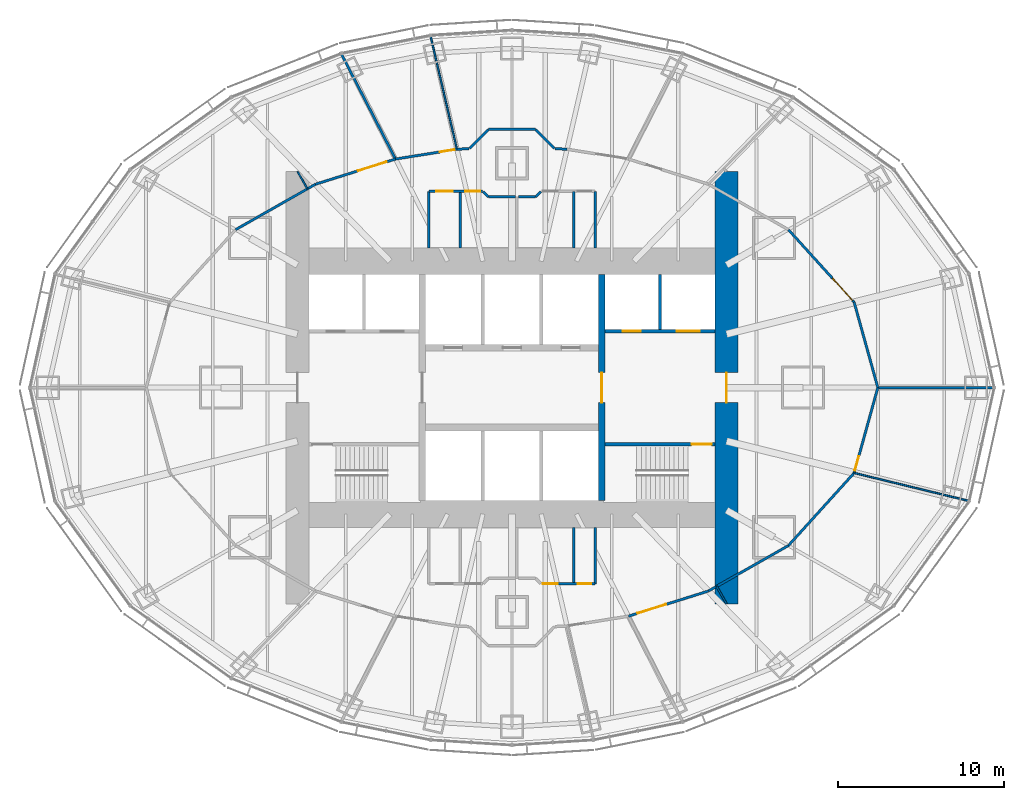
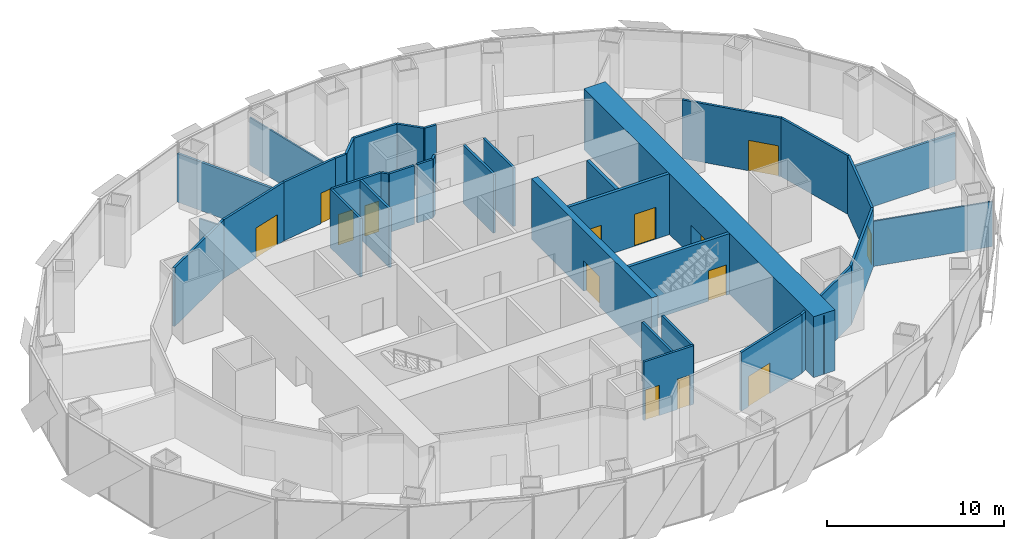
# One storey, part 12 of 18: 37 walls, 14 doors, 14 openings.
"""IFC4 building model written with IfcOpenShell, lengths in metres."""

from ifc_helpers import new_model, si_unit, direction, frame, frame_2d, origin, place, context, subcontext, project, spatial, rectangle, extrude, material, layer, layer_set, type_object, element, fill, save


model = new_model("IFC4")

# Units and contexts
model_context = context("Model", 3, precision=1e-05, world=origin(), true_north=direction((0.0, 1.0)))
body_context = subcontext(model_context, "Body", "Model", "MODEL_VIEW")
ifc_project = project(units=[si_unit("LENGTHUNIT", "METRE"), si_unit("AREAUNIT", "SQUARE_METRE"), si_unit("VOLUMEUNIT", "CUBIC_METRE"), si_unit("PLANEANGLEUNIT", "RADIAN"), si_unit("MASSUNIT", "GRAM", prefix="KILO")], contexts=[model_context])

# Site, building, storey
site_placement = place(None, origin())
site = spatial("IfcSite", under=ifc_project, at=site_placement, CompositionType="ELEMENT")
building_placement = place(site_placement, origin())
building = spatial("IfcBuilding", under=site, at=building_placement, Name="Lantaw Convention Tower", CompositionType="ELEMENT")
storey_placement = place(building_placement, frame((0.0, 0.0, 176.199951171875)))
storey = spatial("IfcBuildingStorey", under=building, at=storey_placement, Name="L41", CompositionType="ELEMENT", Elevation=176.199951171875)

# Wall, opening, door
ifc_material_1 = material(Name="Concrete C60/75", Category="concrete")
ifc_layer_1 = layer(ifc_material_1, 1.39990234375)
ifc_layer_set_1 = layer_set([ifc_layer_1], Name="Core wall 1400")
wall_type_1 = type_object("IfcWallType", Name="Core wall 1400", PredefinedType="SHEAR", material=ifc_layer_set_1)
wall_1_placement = place(storey_placement, frame((12.89990234375, -13.0, 0.0), z_axis=(0.0, 0.0, 1.0), x_axis=(0.0, 1.0, 0.0)))
wall_1 = element("IfcWall", 1, at=wall_1_placement, inside=storey, type_object=wall_type_1, Name="Core wall E", PredefinedType="SHEAR", context=body_context, shape_type="SweptSolid", body=[
    extrude(rectangle(XDim=26.0, YDim=1.39990234375, at=frame_2d((13.0, 0.0))), origin(), (0.0, 0.0, 1.0), 4.199951171875),
])
opening_1_placement = place(wall_1_placement, frame((12.10009765625, 0.0, 0.0)))
opening_1 = element("IfcOpeningElement", 2, at=opening_1_placement, cuts=wall_1, Name="Opening L41.05", PredefinedType="OPENING", context=body_context, shape_type="SweptSolid", body=[
    extrude(rectangle(XDim=1.800048828125, YDim=2.10009765625, at=frame_2d((0.89990234375, 1.050048828125))), frame((0.0, 0.7099609375, 0.0), z_axis=(0.0, -1.0, 0.0), x_axis=(1.0, 0.0, 0.0)), (0.0, 0.0, 1.0), 1.419921875),
])
ifc_material_2 = material(Name="Steel, fire rated", Category="steel")
door_type_1 = type_object("IfcDoorType", Name="Lobby double door FD90", OperationType="DOUBLE_DOOR_DOUBLE_SWING", PredefinedType="DOOR", material=ifc_material_2)
door_1_placement = place(opening_1_placement, origin())
door_1 = element("IfcDoor", 3, at=door_1_placement, inside=storey, type_object=door_type_1, Name="Firefighting lobby door", OperationType="DOUBLE_DOOR_DOUBLE_SWING", OverallHeight=2.10009765625, OverallWidth=1.800048828125, PredefinedType="DOOR", context=body_context, shape_type="SweptSolid", body=[
    extrude(rectangle(XDim=1.800048828125, YDim=2.10009765625, at=frame_2d((0.89990234375, 1.050048828125))), frame((0.0, 0.02490234375, 0.0), z_axis=(0.0, -1.0, 0.0), x_axis=(1.0, 0.0, 0.0)), (0.0, 0.0, 1.0), 0.050048828125),
])
fill(opening_1, door_1)

ifc_layer_2 = layer(ifc_material_1, 0.199951171875)
ifc_layer_set_2 = layer_set([ifc_layer_2], Name="Core wall 200")
wall_type_2 = type_object("IfcWallType", Name="Core wall 200", PredefinedType="SHEAR", material=ifc_layer_set_2)
wall_2_placement = place(storey_placement, frame((5.60009765625, -3.39990234375, 0.0), z_axis=(0.0, 0.0, 1.0), x_axis=(1.0, 0.0, 0.0)))
wall_2 = element("IfcWall", 4, at=wall_2_placement, inside=storey, type_object=wall_type_2, Name="Core wall ES", PredefinedType="SHEAR", context=body_context, shape_type="SweptSolid", body=[
    extrude(rectangle(XDim=6.599853515625, YDim=0.199951171875, at=frame_2d((3.2998046875, 0.0))), origin(), (0.0, 0.0, 1.0), 4.199951171875),
])
opening_2_placement = place(wall_2_placement, frame((5.199951171875, 0.0, 0.0)))
opening_2 = element("IfcOpeningElement", 5, at=opening_2_placement, cuts=wall_2, Name="Opening L41.03", PredefinedType="OPENING", context=body_context, shape_type="SweptSolid", body=[
    extrude(rectangle(XDim=1.199951171875, YDim=2.10009765625, at=frame_2d((0.60009765625, 1.050048828125))), frame((0.0, 0.10986328125, 0.0), z_axis=(0.0, -1.0, 0.0), x_axis=(1.0, 0.0, 0.0)), (0.0, 0.0, 1.0), 0.219970703125),
])
door_type_2 = type_object("IfcDoorType", Name="Stair door FD90", OperationType="SINGLE_SWING_RIGHT", PredefinedType="DOOR", material=ifc_material_2)
door_2_placement = place(opening_2_placement, origin())
door_2 = element("IfcDoor", 6, at=door_2_placement, inside=storey, type_object=door_type_2, Name="Exit stair door", OperationType="SINGLE_SWING_RIGHT", OverallHeight=2.10009765625, OverallWidth=1.199951171875, PredefinedType="DOOR", context=body_context, shape_type="SweptSolid", body=[
    extrude(rectangle(XDim=1.199951171875, YDim=2.10009765625, at=frame_2d((0.60009765625, 1.050048828125))), frame((0.0, 0.02490234375, 0.0), z_axis=(0.0, -1.0, 0.0), x_axis=(1.0, 0.0, 0.0)), (0.0, 0.0, 1.0), 0.050048828125),
])
fill(opening_2, door_2)

ifc_layer_3 = layer(ifc_material_1, 0.39990234375)
ifc_layer_set_3 = layer_set([ifc_layer_3], Name="Core wall 400")
wall_type_3 = type_object("IfcWallType", Name="Core wall 400", PredefinedType="SHEAR", material=ifc_layer_set_3)
wall_3_placement = place(storey_placement, frame((5.39990234375, -6.800048828125, 0.0), z_axis=(0.0, 0.0, 1.0), x_axis=(0.0, 1.0, 0.0)))
wall_3 = element("IfcWall", 7, at=wall_3_placement, inside=storey, type_object=wall_type_3, Name="Core wall XE", PredefinedType="SHEAR", context=body_context, shape_type="SweptSolid", body=[
    extrude(rectangle(XDim=13.60009765625, YDim=0.39990234375, at=frame_2d((6.800048828125, 0.0))), origin(), (0.0, 0.0, 1.0), 4.199951171875),
])
opening_3_placement = place(wall_3_placement, frame((5.89990234375, 0.0, 0.0)))
opening_3 = element("IfcOpeningElement", 8, at=opening_3_placement, cuts=wall_3, Name="Opening L41.01", PredefinedType="OPENING", context=body_context, shape_type="SweptSolid", body=[
    extrude(rectangle(XDim=1.800048828125, YDim=2.10009765625, at=frame_2d((0.89990234375, 1.050048828125))), frame((0.0, 0.2099609375, 0.0), z_axis=(0.0, -1.0, 0.0), x_axis=(1.0, 0.0, 0.0)), (0.0, 0.0, 1.0), 0.419921875),
])
door_3_placement = place(opening_3_placement, origin())
door_3 = element("IfcDoor", 9, at=door_3_placement, inside=storey, type_object=door_type_1, Name="Lift lobby door", OperationType="DOUBLE_DOOR_DOUBLE_SWING", OverallHeight=2.10009765625, OverallWidth=1.800048828125, PredefinedType="DOOR", context=body_context, shape_type="SweptSolid", body=[
    extrude(rectangle(XDim=1.800048828125, YDim=2.10009765625, at=frame_2d((0.89990234375, 1.050048828125))), frame((0.0, 0.02490234375, 0.0), z_axis=(0.0, -1.0, 0.0), x_axis=(1.0, 0.0, 0.0)), (0.0, 0.0, 1.0), 0.050048828125),
])
fill(opening_3, door_3)

# Wall
ifc_material_3 = material(Name="Gypsum board on steel studs, fire rated", Category="steel")
ifc_layer_4 = layer(ifc_material_3, 0.14990234375)
ifc_layer_set_4 = layer_set([ifc_layer_4], Name="Corridor wall 150 EI 60")
wall_type_4 = type_object("IfcWallType", Name="Corridor wall 150 EI 60", PredefinedType="PARTITIONING", material=ifc_layer_set_4)
wall_4_placement = place(storey_placement, frame((22.0, 0.0, 0.0), z_axis=(0.0, 0.0, 1.0), x_axis=(-0.267293817428, 0.963615076244, 0.0)))
element("IfcWall", 10, at=wall_4_placement, inside=storey, type_object=wall_type_4, Name="Corridor wall 150", PredefinedType="PARTITIONING", context=body_context, shape_type="SweptSolid", body=[
    extrude(rectangle(XDim=5.323974609375, YDim=0.14990234375, at=frame_2d((2.662109375, 0.0))), origin(), (0.0, 0.0, 1.0), 4.050048828125),
])

# Wall, opening, door
wall_5_placement = place(storey_placement, frame((20.576904296875, 5.13037109375, 0.0), z_axis=(0.0, 0.0, 1.0), x_axis=(-0.671118353743, 0.741350224435, 0.0)))
wall_5 = element("IfcWall", 11, at=wall_5_placement, inside=storey, type_object=wall_type_4, Name="Corridor wall 150", PredefinedType="PARTITIONING", context=body_context, shape_type="SweptSolid", body=[
    extrude(rectangle(XDim=5.89208984375, YDim=0.14990234375, at=frame_2d((2.946044921875, 0.0))), origin(), (0.0, 0.0, 1.0), 4.050048828125),
])
opening_4_placement = place(wall_5_placement, frame((0.14990234375, 0.0, 0.0)))
opening_4 = element("IfcOpeningElement", 12, at=opening_4_placement, cuts=wall_5, Name="Opening L41.22", PredefinedType="OPENING", context=body_context, shape_type="SweptSolid", body=[
    extrude(rectangle(XDim=1.800048828125, YDim=2.10009765625, at=frame_2d((0.89990234375, 1.050048828125))), frame((0.0, 0.0849609375, 0.0), z_axis=(0.0, -1.0, 0.0), x_axis=(1.0, 0.0, 0.0)), (0.0, 0.0, 1.0), 0.169921875),
])
door_type_3 = type_object("IfcDoorType", Name="Office double door 1800 FD30", OperationType="DOUBLE_DOOR_DOUBLE_SWING", PredefinedType="DOOR", material=ifc_material_2)
door_4_placement = place(opening_4_placement, origin())
door_4 = element("IfcDoor", 13, at=door_4_placement, inside=storey, type_object=door_type_3, Name="Tenant suite door", OperationType="DOUBLE_DOOR_DOUBLE_SWING", OverallHeight=2.10009765625, OverallWidth=1.800048828125, PredefinedType="DOOR", context=body_context, shape_type="SweptSolid", body=[
    extrude(rectangle(XDim=1.800048828125, YDim=2.10009765625, at=frame_2d((0.89990234375, 1.050048828125))), frame((0.0, 0.02490234375, 0.0), z_axis=(0.0, -1.0, 0.0), x_axis=(1.0, 0.0, 0.0)), (0.0, 0.0, 1.0), 0.050048828125),
])
fill(opening_4, door_4)

wall_6_placement = place(storey_placement, frame((-3.3095703125, 14.3349609375, 0.0), z_axis=(0.0, 0.0, 1.0), x_axis=(-0.987511396594, -0.157547585181, 0.0)))
wall_6 = element("IfcWall", 14, at=wall_6_placement, inside=storey, type_object=wall_type_4, Name="Corridor wall 150", PredefinedType="PARTITIONING", context=body_context, shape_type="SweptSolid", body=[
    extrude(rectangle(XDim=3.74072265625, YDim=0.14990234375, at=frame_2d((1.870361328125, 0.0))), origin(), (0.0, 0.0, 1.0), 4.050048828125),
])
opening_5_placement = place(wall_6_placement, frame((0.14990234375, 0.0, 0.0)))
opening_5 = element("IfcOpeningElement", 15, at=opening_5_placement, cuts=wall_6, Name="Opening L41.25", PredefinedType="OPENING", context=body_context, shape_type="SweptSolid", body=[
    extrude(rectangle(XDim=0.89990234375, YDim=2.10009765625, at=frame_2d((0.449951171875, 1.050048828125))), frame((0.0, 0.0849609375, 0.0), z_axis=(0.0, -1.0, 0.0), x_axis=(1.0, 0.0, 0.0)), (0.0, 0.0, 1.0), 0.169921875),
])
door_type_4 = type_object("IfcDoorType", Name="Office door 900 FD30", OperationType="SINGLE_SWING_LEFT", PredefinedType="DOOR", material=ifc_material_2)
door_5_placement = place(opening_5_placement, origin())
door_5 = element("IfcDoor", 16, at=door_5_placement, inside=storey, type_object=door_type_4, Name="Meeting room door", OperationType="SINGLE_SWING_LEFT", OverallHeight=2.10009765625, OverallWidth=0.89990234375, PredefinedType="DOOR", context=body_context, shape_type="SweptSolid", body=[
    extrude(rectangle(XDim=0.89990234375, YDim=2.10009765625, at=frame_2d((0.449951171875, 1.050048828125))), frame((0.0, 0.02490234375, 0.0), z_axis=(0.0, -1.0, 0.0), x_axis=(1.0, 0.0, 0.0)), (0.0, 0.0, 1.0), 0.050048828125),
])
fill(opening_5, door_5)

wall_7_placement = place(storey_placement, frame((-7.003662109375, 13.74560546875, 0.0), z_axis=(0.0, 0.0, 1.0), x_axis=(-0.953893934057, -0.300143903101, 0.0)))
wall_7 = element("IfcWall", 17, at=wall_7_placement, inside=storey, type_object=wall_type_4, Name="Corridor wall 150", PredefinedType="PARTITIONING", context=body_context, shape_type="SweptSolid", body=[
    extrude(rectangle(XDim=5.04150390625, YDim=0.14990234375, at=frame_2d((2.520751953125, 0.0))), origin(), (0.0, 0.0, 1.0), 4.050048828125),
])
opening_6_placement = place(wall_7_placement, frame((0.5703125, 0.0, 0.0)))
opening_6 = element("IfcOpeningElement", 18, at=opening_6_placement, cuts=wall_7, Name="Opening L41.26", PredefinedType="OPENING", context=body_context, shape_type="SweptSolid", body=[
    extrude(rectangle(XDim=1.800048828125, YDim=2.10009765625, at=frame_2d((0.89990234375, 1.050048828125))), frame((0.0, 0.0849609375, 0.0), z_axis=(0.0, -1.0, 0.0), x_axis=(1.0, 0.0, 0.0)), (0.0, 0.0, 1.0), 0.169921875),
])
door_6_placement = place(opening_6_placement, origin())
door_6 = element("IfcDoor", 19, at=door_6_placement, inside=storey, type_object=door_type_3, Name="Tenant suite door", OperationType="DOUBLE_DOOR_DOUBLE_SWING", OverallHeight=2.10009765625, OverallWidth=1.800048828125, PredefinedType="DOOR", context=body_context, shape_type="SweptSolid", body=[
    extrude(rectangle(XDim=1.800048828125, YDim=2.10009765625, at=frame_2d((0.89990234375, 1.050048828125))), frame((0.0, 0.02490234375, 0.0), z_axis=(0.0, -1.0, 0.0), x_axis=(1.0, 0.0, 0.0)), (0.0, 0.0, 1.0), 0.050048828125),
])
fill(opening_6, door_6)

# Wall
wall_8_placement = place(storey_placement, frame((-11.812744140625, 12.232421875, 0.0), z_axis=(0.0, 0.0, 1.0), x_axis=(-0.869375991036, -0.494151177485, 0.0)))
element("IfcWall", 20, at=wall_8_placement, inside=storey, type_object=wall_type_4, Name="Corridor wall 150", PredefinedType="PARTITIONING", context=body_context, shape_type="SweptSolid", body=[
    extrude(rectangle(XDim=5.532470703125, YDim=0.14990234375, at=frame_2d((2.76611328125, 0.0))), origin(), (0.0, 0.0, 1.0), 4.050048828125),
])

# Wall, opening, door
wall_9_placement = place(storey_placement, frame((7.003662109375, -13.74560546875, 0.0), z_axis=(0.0, 0.0, 1.0), x_axis=(0.953893934057, 0.300143903101, 0.0)))
wall_9 = element("IfcWall", 21, at=wall_9_placement, inside=storey, type_object=wall_type_4, Name="Corridor wall 150", PredefinedType="PARTITIONING", context=body_context, shape_type="SweptSolid", body=[
    extrude(rectangle(XDim=5.04150390625, YDim=0.14990234375, at=frame_2d((2.520751953125, 0.0))), origin(), (0.0, 0.0, 1.0), 4.050048828125),
])
opening_7_placement = place(wall_9_placement, frame((0.5703125, 0.0, 0.0)))
opening_7 = element("IfcOpeningElement", 22, at=opening_7_placement, cuts=wall_9, Name="Opening L41.32", PredefinedType="OPENING", context=body_context, shape_type="SweptSolid", body=[
    extrude(rectangle(XDim=1.800048828125, YDim=2.10009765625, at=frame_2d((0.89990234375, 1.050048828125))), frame((0.0, 0.0849609375, 0.0), z_axis=(0.0, -1.0, 0.0), x_axis=(1.0, 0.0, 0.0)), (0.0, 0.0, 1.0), 0.169921875),
])
door_7_placement = place(opening_7_placement, origin())
door_7 = element("IfcDoor", 23, at=door_7_placement, inside=storey, type_object=door_type_3, Name="Tenant suite door", OperationType="DOUBLE_DOOR_DOUBLE_SWING", OverallHeight=2.10009765625, OverallWidth=1.800048828125, PredefinedType="DOOR", context=body_context, shape_type="SweptSolid", body=[
    extrude(rectangle(XDim=1.800048828125, YDim=2.10009765625, at=frame_2d((0.89990234375, 1.050048828125))), frame((0.0, 0.02490234375, 0.0), z_axis=(0.0, -1.0, 0.0), x_axis=(1.0, 0.0, 0.0)), (0.0, 0.0, 1.0), 0.050048828125),
])
fill(opening_7, door_7)

# Walls
wall_10_placement = place(storey_placement, frame((11.812744140625, -12.232421875, 0.0), z_axis=(0.0, 0.0, 1.0), x_axis=(0.869375991036, 0.494151177485, 0.0)))
element("IfcWall", 24, at=wall_10_placement, inside=storey, type_object=wall_type_4, Name="Corridor wall 150", PredefinedType="PARTITIONING", context=body_context, shape_type="SweptSolid", body=[
    extrude(rectangle(XDim=5.532470703125, YDim=0.14990234375, at=frame_2d((2.76611328125, 0.0))), origin(), (0.0, 0.0, 1.0), 4.050048828125),
])
wall_11_placement = place(storey_placement, frame((16.62255859375, -9.49853515625, 0.0), z_axis=(0.0, 0.0, 1.0), x_axis=(0.671118353743, 0.741350224435, 0.0)))
element("IfcWall", 25, at=wall_11_placement, inside=storey, type_object=wall_type_4, Name="Corridor wall 150", PredefinedType="PARTITIONING", context=body_context, shape_type="SweptSolid", body=[
    extrude(rectangle(XDim=5.89208984375, YDim=0.14990234375, at=frame_2d((2.946044921875, 0.0))), origin(), (0.0, 0.0, 1.0), 4.050048828125),
])

# Wall, opening, door
wall_12_placement = place(storey_placement, frame((20.576904296875, -5.13037109375, 0.0), z_axis=(0.0, 0.0, 1.0), x_axis=(0.267293817428, 0.963615076244, 0.0)))
wall_12 = element("IfcWall", 26, at=wall_12_placement, inside=storey, type_object=wall_type_4, Name="Corridor wall 150", PredefinedType="PARTITIONING", context=body_context, shape_type="SweptSolid", body=[
    extrude(rectangle(XDim=5.323974609375, YDim=0.14990234375, at=frame_2d((2.662109375, 0.0))), origin(), (0.0, 0.0, 1.0), 4.050048828125),
])
opening_8_placement = place(wall_12_placement, frame((0.14990234375, 0.0, 0.0)))
opening_8 = element("IfcOpeningElement", 27, at=opening_8_placement, cuts=wall_12, Name="Opening L41.33", PredefinedType="OPENING", context=body_context, shape_type="SweptSolid", body=[
    extrude(rectangle(XDim=0.89990234375, YDim=2.10009765625, at=frame_2d((0.449951171875, 1.050048828125))), frame((0.0, 0.0849609375, 0.0), z_axis=(0.0, -1.0, 0.0), x_axis=(1.0, 0.0, 0.0)), (0.0, 0.0, 1.0), 0.169921875),
])
door_8_placement = place(opening_8_placement, origin())
door_8 = element("IfcDoor", 28, at=door_8_placement, inside=storey, type_object=door_type_4, Name="Meeting room door", OperationType="SINGLE_SWING_LEFT", OverallHeight=2.10009765625, OverallWidth=0.89990234375, PredefinedType="DOOR", context=body_context, shape_type="SweptSolid", body=[
    extrude(rectangle(XDim=0.89990234375, YDim=2.10009765625, at=frame_2d((0.449951171875, 1.050048828125))), frame((0.0, 0.02490234375, 0.0), z_axis=(0.0, -1.0, 0.0), x_axis=(1.0, 0.0, 0.0)), (0.0, 0.0, 1.0), 0.050048828125),
])
fill(opening_8, door_8)

# Walls
for number, where, z_axis, x_axis, name in (
    (29, (3.3095703125, 14.3349609375, 0.0), (0.0, 0.0, 1.0), (-0.998758954215, 0.04980513402, 0.0), "Corridor wall 150"),
    (30, (-2.5751953125, 14.37158203125, 0.0), (0.0, 0.0, 1.0), (-0.998758954215, -0.04980513402, 0.0), "Corridor wall 150"),
):
    element("IfcWall", number, at=place(storey_placement, frame(where, z_axis=z_axis, x_axis=x_axis)), inside=storey, type_object=wall_type_4, Name=name, PredefinedType="PARTITIONING", context=body_context, shape_type="SweptSolid", body=[
        extrude(rectangle(XDim=0.7353515625, YDim=0.14990234375, at=frame_2d((0.36767578125, 0.0))), origin(), (0.0, 0.0, 1.0), 4.050048828125),
    ])
wall_13_placement = place(storey_placement, frame((-1.424560546875, 15.52490234375, 0.0), z_axis=(0.0, 0.0, 1.0), x_axis=(1.0, 0.0, 0.0)))
element("IfcWall", 31, at=wall_13_placement, inside=storey, type_object=wall_type_4, Name="Corridor wall 150", PredefinedType="PARTITIONING", context=body_context, shape_type="SweptSolid", body=[
    extrude(rectangle(XDim=2.84912109375, YDim=0.14990234375, at=frame_2d((1.424560546875, 0.0))), origin(), (0.0, 0.0, 1.0), 4.050048828125),
])
for number, where, z_axis, x_axis, name in (
    (32, (1.424560546875, 15.52490234375, 0.0), (0.0, 0.0, 1.0), (0.701815492047, -0.712358768545, 0.0), "Corridor wall 150"),
    (33, (-2.5458984375, 14.38671875, 0.0), (0.0, 0.0, 1.0), (0.701815492047, 0.712358768545, 0.0), "Corridor wall 150"),
):
    element("IfcWall", number, at=place(storey_placement, frame(where, z_axis=z_axis, x_axis=x_axis)), inside=storey, type_object=wall_type_4, Name=name, PredefinedType="PARTITIONING", context=body_context, shape_type="SweptSolid", body=[
        extrude(rectangle(XDim=1.59765625, YDim=0.14990234375, at=frame_2d((0.798828125, 0.0))), origin(), (0.0, 0.0, 1.0), 4.050048828125),
    ])
ifc_material_4 = material(Name="Gypsum board on steel studs, acoustic", Category="steel")
ifc_layer_5 = layer(ifc_material_4, 0.10009765625)
ifc_layer_set_5 = layer_set([ifc_layer_5], Name="Office partition 100")
wall_type_5 = type_object("IfcWallType", Name="Office partition 100", PredefinedType="PARTITIONING", material=ifc_layer_set_5)
wall_14_placement = place(storey_placement, frame((-4.89697265625, 21.134765625, 0.0), z_axis=(0.0, 0.0, 1.0), x_axis=(0.22733572198, -0.973816445493, 0.0)))
element("IfcWall", 34, at=wall_14_placement, inside=storey, type_object=wall_type_5, Name="Office partition 100", PredefinedType="PARTITIONING", context=body_context, shape_type="SweptSolid", body=[
    extrude(rectangle(XDim=6.982666015625, YDim=0.10009765625, at=frame_2d((3.4912109375, 0.0))), origin(), (0.0, 0.0, 1.0), 3.293212890625),
])
wall_15_placement = place(storey_placement, frame((27.440673828125, -6.808837890625, 0.0), z_axis=(0.0, 0.0, 1.0), x_axis=(-0.971377572955, 0.237540755996, 0.0)))
element("IfcWall", 35, at=wall_15_placement, inside=storey, type_object=wall_type_5, Name="Office partition 100", PredefinedType="PARTITIONING", context=body_context, shape_type="SweptSolid", body=[
    extrude(rectangle(XDim=7.06591796875, YDim=0.10009765625, at=frame_2d((3.532958984375, 0.0))), origin(), (0.0, 0.0, 1.0), 3.11279296875),
])
for number, where, z_axis, x_axis, name in (
    (36, (12.89990234375, -13.0, 0.0), (0.0, 0.0, 1.0), (-0.494173075358, 0.869363543974, 0.0), "Office partition 100"),
    (37, (-12.89990234375, 13.0, 0.0), (0.0, 0.0, 1.0), (0.494173075358, -0.869363543974, 0.0), "Office partition 100"),
):
    element("IfcWall", number, at=place(storey_placement, frame(where, z_axis=z_axis, x_axis=x_axis)), inside=storey, type_object=wall_type_5, Name=name, PredefinedType="PARTITIONING", context=body_context, shape_type="SweptSolid", body=[
        extrude(rectangle(XDim=1.204345703125, YDim=0.10009765625, at=frame_2d((0.60205078125, 0.0))), origin(), (0.0, 0.0, 1.0), 4.050048828125),
    ])

# Wall, openings, doors
ifc_material_5 = material(Name="Concrete blockwork, fire rated", Category="masonry")
ifc_layer_6 = layer(ifc_material_5, 0.199951171875)
ifc_layer_set_6 = layer_set([ifc_layer_6], Name="Shaft wall 200")
wall_type_6 = type_object("IfcWallType", Name="Shaft wall 200", PredefinedType="SOLIDWALL", material=ifc_layer_set_6)
wall_16_placement = place(storey_placement, frame((12.199951171875, 3.39990234375, 0.0), z_axis=(0.0, 0.0, 1.0), x_axis=(-1.0, 0.0, 0.0)))
wall_16 = element("IfcWall", 38, at=wall_16_placement, inside=storey, type_object=wall_type_6, Name="Shaft wall EN", PredefinedType="SOLIDWALL", context=body_context, shape_type="SweptSolid", body=[
    extrude(rectangle(XDim=6.599853515625, YDim=0.199951171875, at=frame_2d((3.2998046875, 0.0))), origin(), (0.0, 0.0, 1.0), 4.199951171875),
])
opening_9_placement = place(wall_16_placement, frame((4.449951171875, 0.0, 0.0)))
opening_9 = element("IfcOpeningElement", 39, at=opening_9_placement, cuts=wall_16, Name="Opening L41.12", PredefinedType="OPENING", context=body_context, shape_type="SweptSolid", body=[
    extrude(rectangle(XDim=1.10009765625, YDim=2.199951171875, at=frame_2d((0.550048828125, 1.10009765625))), frame((0.0, 0.10986328125, 0.0), z_axis=(0.0, -1.0, 0.0), x_axis=(1.0, 0.0, 0.0)), (0.0, 0.0, 1.0), 0.219970703125),
])
opening_10_placement = place(wall_16_placement, frame((0.89990234375, 0.0, 0.0)))
opening_10 = element("IfcOpeningElement", 40, at=opening_10_placement, cuts=wall_16, Name="Opening L41.13", PredefinedType="OPENING", context=body_context, shape_type="SweptSolid", body=[
    extrude(rectangle(XDim=1.39990234375, YDim=2.199951171875, at=frame_2d((0.699951171875, 1.10009765625))), frame((0.0, 0.10986328125, 0.0), z_axis=(0.0, -1.0, 0.0), x_axis=(1.0, 0.0, 0.0)), (0.0, 0.0, 1.0), 0.219970703125),
])
ifc_material_6 = material(Name="Stainless steel", Category="steel")
door_type_5 = type_object("IfcDoorType", Name="Lift landing door 1100", OperationType="DOUBLE_DOOR_SLIDING", PredefinedType="DOOR", material=ifc_material_6)
door_9_placement = place(opening_9_placement, origin())
door_9 = element("IfcDoor", 41, at=door_9_placement, inside=storey, type_object=door_type_5, Name="Lift landing door FF2", OperationType="DOUBLE_DOOR_SLIDING", OverallHeight=2.199951171875, OverallWidth=1.10009765625, PredefinedType="DOOR", context=body_context, shape_type="SweptSolid", body=[
    extrude(rectangle(XDim=1.10009765625, YDim=2.199951171875, at=frame_2d((0.550048828125, 1.10009765625))), frame((0.0, 0.02490234375, 0.0), z_axis=(0.0, -1.0, 0.0), x_axis=(1.0, 0.0, 0.0)), (0.0, 0.0, 1.0), 0.050048828125),
])
fill(opening_9, door_9)
door_type_6 = type_object("IfcDoorType", Name="Lift landing door 1400", OperationType="DOUBLE_DOOR_SLIDING", PredefinedType="DOOR", material=ifc_material_6)
door_10_placement = place(opening_10_placement, origin())
door_10 = element("IfcDoor", 42, at=door_10_placement, inside=storey, type_object=door_type_6, Name="Lift landing door SV2", OperationType="DOUBLE_DOOR_SLIDING", OverallHeight=2.199951171875, OverallWidth=1.39990234375, PredefinedType="DOOR", context=body_context, shape_type="SweptSolid", body=[
    extrude(rectangle(XDim=1.39990234375, YDim=2.199951171875, at=frame_2d((0.699951171875, 1.10009765625))), frame((0.0, 0.02490234375, 0.0), z_axis=(0.0, -1.0, 0.0), x_axis=(1.0, 0.0, 0.0)), (0.0, 0.0, 1.0), 0.050048828125),
])
fill(opening_10, door_10)

# Walls
wall_17_placement = place(storey_placement, frame((8.89990234375, 3.5, 0.0), z_axis=(0.0, 0.0, 1.0), x_axis=(0.0, 1.0, 0.0)))
element("IfcWall", 43, at=wall_17_placement, inside=storey, type_object=wall_type_6, Name="Shaft wall ED", PredefinedType="SOLIDWALL", context=body_context, shape_type="SweptSolid", body=[
    extrude(rectangle(XDim=3.300048828125, YDim=0.199951171875, at=frame_2d((1.64990234375, 0.0))), origin(), (0.0, 0.0, 1.0), 4.199951171875),
])
ifc_layer_7 = layer(ifc_material_3, 0.14990234375)
ifc_layer_set_7 = layer_set([ifc_layer_7], Name="Tenant separation wall 150 EI 60")
wall_type_7 = type_object("IfcWallType", Name="Tenant separation wall 150 EI 60", PredefinedType="PARTITIONING", material=ifc_layer_set_7)
wall_18_placement = place(storey_placement, frame((28.944091796875, 0.0, 0.0), z_axis=(0.0, 0.0, 1.0), x_axis=(-1.0, 0.0, 0.0)))
element("IfcWall", 44, at=wall_18_placement, inside=storey, type_object=wall_type_7, Name="Tenant separation wall 150", PredefinedType="PARTITIONING", context=body_context, shape_type="SweptSolid", body=[
    extrude(rectangle(XDim=6.944091796875, YDim=0.14990234375, at=frame_2d((3.47216796875, 0.0))), origin(), (0.0, 0.0, 1.0), 3.204345703125),
])
wall_19_placement = place(storey_placement, frame((-10.25341796875, 20.0517578125, 0.0), z_axis=(0.0, 0.0, 1.0), x_axis=(0.458082677592, -0.888909590729, 0.0)))
element("IfcWall", 45, at=wall_19_placement, inside=storey, type_object=wall_type_7, Name="Tenant separation wall 150", PredefinedType="PARTITIONING", context=body_context, shape_type="SweptSolid", body=[
    extrude(rectangle(XDim=7.09423828125, YDim=0.14990234375, at=frame_2d((3.547119140625, 0.0))), origin(), (0.0, 0.0, 1.0), 3.34912109375),
])
ifc_material_7 = material(Name="Concrete blockwork", Category="masonry")
ifc_layer_8 = layer(ifc_material_7, 0.14990234375)
ifc_layer_set_8 = layer_set([ifc_layer_8], Name="WC wall 150")
wall_type_8 = type_object("IfcWallType", Name="WC wall 150", PredefinedType="SOLIDWALL", material=ifc_layer_set_8)
for number, where, z_axis, x_axis, name in (
    (46, (-5.0, 8.39990234375, 0.0), (0.0, 0.0, 1.0), (0.0, 1.0, 0.0), "WC wall 150"),
    (47, (5.0, 8.39990234375, 0.0), (0.0, 0.0, 1.0), (0.0, 1.0, 0.0), "WC wall 150"),
    (48, (-3.10009765625, 8.39990234375, 0.0), (0.0, 0.0, 1.0), (0.0, 1.0, 0.0), "WC wall 150"),
    (49, (3.699951171875, 8.39990234375, 0.0), (0.0, 0.0, 1.0), (0.0, 1.0, 0.0), "WC wall 150"),
    (50, (5.0, -8.39990234375, 0.0), (0.0, 0.0, 1.0), (0.0, -1.0, 0.0), "WC wall 150"),
    (51, (3.699951171875, -8.39990234375, 0.0), (0.0, 0.0, 1.0), (0.0, -1.0, 0.0), "WC wall 150"),
):
    element("IfcWall", number, at=place(storey_placement, frame(where, z_axis=z_axis, x_axis=x_axis)), inside=storey, type_object=wall_type_8, Name=name, PredefinedType="SOLIDWALL", context=body_context, shape_type="SweptSolid", body=[
        extrude(rectangle(XDim=3.400146484375, YDim=0.14990234375, at=frame_2d((1.7001953125, 0.0))), origin(), (0.0, 0.0, 1.0), 4.050048828125),
    ])

# Wall, openings, doors
wall_20_placement = place(storey_placement, frame((1.763671875, -11.800048828125, 0.0), z_axis=(0.0, 0.0, 1.0), x_axis=(1.0, 0.0, 0.0)))
wall_20 = element("IfcWall", 52, at=wall_20_placement, inside=storey, type_object=wall_type_8, Name="WC wall 150", PredefinedType="SOLIDWALL", context=body_context, shape_type="SweptSolid", body=[
    extrude(rectangle(XDim=3.236328125, YDim=0.14990234375, at=frame_2d((1.6181640625, 0.0))), origin(), (0.0, 0.0, 1.0), 4.050048828125),
])
opening_11_placement = place(wall_20_placement, frame((0.10009765625, 0.0, 0.0)))
opening_11 = element("IfcOpeningElement", 53, at=opening_11_placement, cuts=wall_20, Name="Opening L41.20", PredefinedType="OPENING", context=body_context, shape_type="SweptSolid", body=[
    extrude(rectangle(XDim=0.89990234375, YDim=2.10009765625, at=frame_2d((0.449951171875, 1.050048828125))), frame((0.0, 0.0849609375, 0.0), z_axis=(0.0, -1.0, 0.0), x_axis=(1.0, 0.0, 0.0)), (0.0, 0.0, 1.0), 0.169921875),
])
opening_12_placement = place(wall_20_placement, frame((2.199951171875, 0.0, 0.0)))
opening_12 = element("IfcOpeningElement", 54, at=opening_12_placement, cuts=wall_20, Name="Opening L41.21", PredefinedType="OPENING", context=body_context, shape_type="SweptSolid", body=[
    extrude(rectangle(XDim=0.800048828125, YDim=2.10009765625, at=frame_2d((0.39990234375, 1.050048828125))), frame((0.0, 0.0849609375, 0.0), z_axis=(0.0, -1.0, 0.0), x_axis=(1.0, 0.0, 0.0)), (0.0, 0.0, 1.0), 0.169921875),
])
ifc_material_8 = material(Name="Timber", Category="wood")
door_type_7 = type_object("IfcDoorType", Name="WC door 800", OperationType="SINGLE_SWING_LEFT", PredefinedType="DOOR", material=ifc_material_8)
door_11_placement = place(opening_12_placement, origin())
door_11 = element("IfcDoor", 55, at=door_11_placement, inside=storey, type_object=door_type_7, Name="Pantry door", OperationType="SINGLE_SWING_LEFT", OverallHeight=2.10009765625, OverallWidth=0.800048828125, PredefinedType="DOOR", context=body_context, shape_type="SweptSolid", body=[
    extrude(rectangle(XDim=0.800048828125, YDim=2.10009765625, at=frame_2d((0.39990234375, 1.050048828125))), frame((0.0, 0.02490234375, 0.0), z_axis=(0.0, -1.0, 0.0), x_axis=(1.0, 0.0, 0.0)), (0.0, 0.0, 1.0), 0.050048828125),
])
fill(opening_12, door_11)
door_type_8 = type_object("IfcDoorType", Name="WC door 900", OperationType="SINGLE_SWING_LEFT", PredefinedType="DOOR", material=ifc_material_8)
door_12_placement = place(opening_11_placement, origin())
door_12 = element("IfcDoor", 56, at=door_12_placement, inside=storey, type_object=door_type_8, Name="Female WC door", OperationType="SINGLE_SWING_LEFT", OverallHeight=2.10009765625, OverallWidth=0.89990234375, PredefinedType="DOOR", context=body_context, shape_type="SweptSolid", body=[
    extrude(rectangle(XDim=0.89990234375, YDim=2.10009765625, at=frame_2d((0.449951171875, 1.050048828125))), frame((0.0, 0.02490234375, 0.0), z_axis=(0.0, -1.0, 0.0), x_axis=(1.0, 0.0, 0.0)), (0.0, 0.0, 1.0), 0.050048828125),
])
fill(opening_11, door_12)

wall_21_placement = place(storey_placement, frame((-5.0, 11.800048828125, 0.0), z_axis=(0.0, 0.0, 1.0), x_axis=(1.0, 0.0, 0.0)))
wall_21 = element("IfcWall", 57, at=wall_21_placement, inside=storey, type_object=wall_type_8, Name="WC wall 150", PredefinedType="SOLIDWALL", context=body_context, shape_type="SweptSolid", body=[
    extrude(rectangle(XDim=3.236328125, YDim=0.14990234375, at=frame_2d((1.6181640625, 0.0))), origin(), (0.0, 0.0, 1.0), 4.050048828125),
])
opening_13_placement = place(wall_21_placement, frame((0.449951171875, 0.0, 0.0)))
opening_13 = element("IfcOpeningElement", 58, at=opening_13_placement, cuts=wall_21, Name="Opening L41.14", PredefinedType="OPENING", context=body_context, shape_type="SweptSolid", body=[
    extrude(rectangle(XDim=1.0, YDim=2.10009765625, at=frame_2d((0.5, 1.050048828125))), frame((0.0, 0.0849609375, 0.0), z_axis=(0.0, -1.0, 0.0), x_axis=(1.0, 0.0, 0.0)), (0.0, 0.0, 1.0), 0.169921875),
])
opening_14_placement = place(wall_21_placement, frame((2.199951171875, 0.0, 0.0)))
opening_14 = element("IfcOpeningElement", 59, at=opening_14_placement, cuts=wall_21, Name="Opening L41.15", PredefinedType="OPENING", context=body_context, shape_type="SweptSolid", body=[
    extrude(rectangle(XDim=0.89990234375, YDim=2.10009765625, at=frame_2d((0.449951171875, 1.050048828125))), frame((0.0, 0.0849609375, 0.0), z_axis=(0.0, -1.0, 0.0), x_axis=(1.0, 0.0, 0.0)), (0.0, 0.0, 1.0), 0.169921875),
])
door_type_9 = type_object("IfcDoorType", Name="Accessible WC door 1000", OperationType="SINGLE_SWING_LEFT", PredefinedType="DOOR", material=ifc_material_8)
door_13_placement = place(opening_13_placement, origin())
door_13 = element("IfcDoor", 60, at=door_13_placement, inside=storey, type_object=door_type_9, Name="Accessible WC door", OperationType="SINGLE_SWING_LEFT", OverallHeight=2.10009765625, OverallWidth=1.0, PredefinedType="DOOR", context=body_context, shape_type="SweptSolid", body=[
    extrude(rectangle(XDim=1.0, YDim=2.10009765625, at=frame_2d((0.5, 1.050048828125))), frame((0.0, 0.02490234375, 0.0), z_axis=(0.0, -1.0, 0.0), x_axis=(1.0, 0.0, 0.0)), (0.0, 0.0, 1.0), 0.050048828125),
])
fill(opening_13, door_13)
door_14_placement = place(opening_14_placement, origin())
door_14 = element("IfcDoor", 61, at=door_14_placement, inside=storey, type_object=door_type_8, Name="Male WC door", OperationType="SINGLE_SWING_LEFT", OverallHeight=2.10009765625, OverallWidth=0.89990234375, PredefinedType="DOOR", context=body_context, shape_type="SweptSolid", body=[
    extrude(rectangle(XDim=0.89990234375, YDim=2.10009765625, at=frame_2d((0.449951171875, 1.050048828125))), frame((0.0, 0.02490234375, 0.0), z_axis=(0.0, -1.0, 0.0), x_axis=(1.0, 0.0, 0.0)), (0.0, 0.0, 1.0), 0.050048828125),
])
fill(opening_14, door_14)

# Walls
wall_22_placement = place(storey_placement, frame((0.19677734375, 11.47509765625, 0.0), z_axis=(0.0, 0.0, 1.0), x_axis=(-1.0, 0.0, 0.0)))
element("IfcWall", 62, at=wall_22_placement, inside=storey, type_object=wall_type_8, Name="WC wall 150", PredefinedType="SOLIDWALL", context=body_context, shape_type="SweptSolid", body=[
    extrude(rectangle(XDim=1.621337890625, YDim=0.14990234375, at=frame_2d((0.810546875, 0.0))), origin(), (0.0, 0.0, 1.0), 4.050048828125),
])
for number, where, z_axis, x_axis, name in (
    (63, (-1.424560546875, 11.47509765625, 0.0), (0.0, 0.0, 1.0), (-0.707106781187, 0.707106781187, 0.0), "WC wall 150"),
    (64, (1.733642578125, 11.7841796875, 0.0), (0.0, 0.0, 1.0), (-0.707106781187, -0.707106781187, 0.0), "WC wall 150"),
):
    element("IfcWall", number, at=place(storey_placement, frame(where, z_axis=z_axis, x_axis=x_axis)), inside=storey, type_object=wall_type_8, Name=name, PredefinedType="SOLIDWALL", context=body_context, shape_type="SweptSolid", body=[
        extrude(rectangle(XDim=0.43701171875, YDim=0.14990234375, at=frame_2d((0.218505859375, 0.0))), origin(), (0.0, 0.0, 1.0), 4.050048828125),
    ])
wall_23_placement = place(storey_placement, frame((1.424560546875, 11.47509765625, 0.0), z_axis=(0.0, 0.0, 1.0), x_axis=(-1.0, 0.0, 0.0)))
element("IfcWall", 65, at=wall_23_placement, inside=storey, type_object=wall_type_8, Name="WC wall 150", PredefinedType="SOLIDWALL", context=body_context, shape_type="SweptSolid", body=[
    extrude(rectangle(XDim=1.021240234375, YDim=0.14990234375, at=frame_2d((0.5107421875, 0.0))), origin(), (0.0, 0.0, 1.0), 4.050048828125),
])

save(model, "model.ifc")
